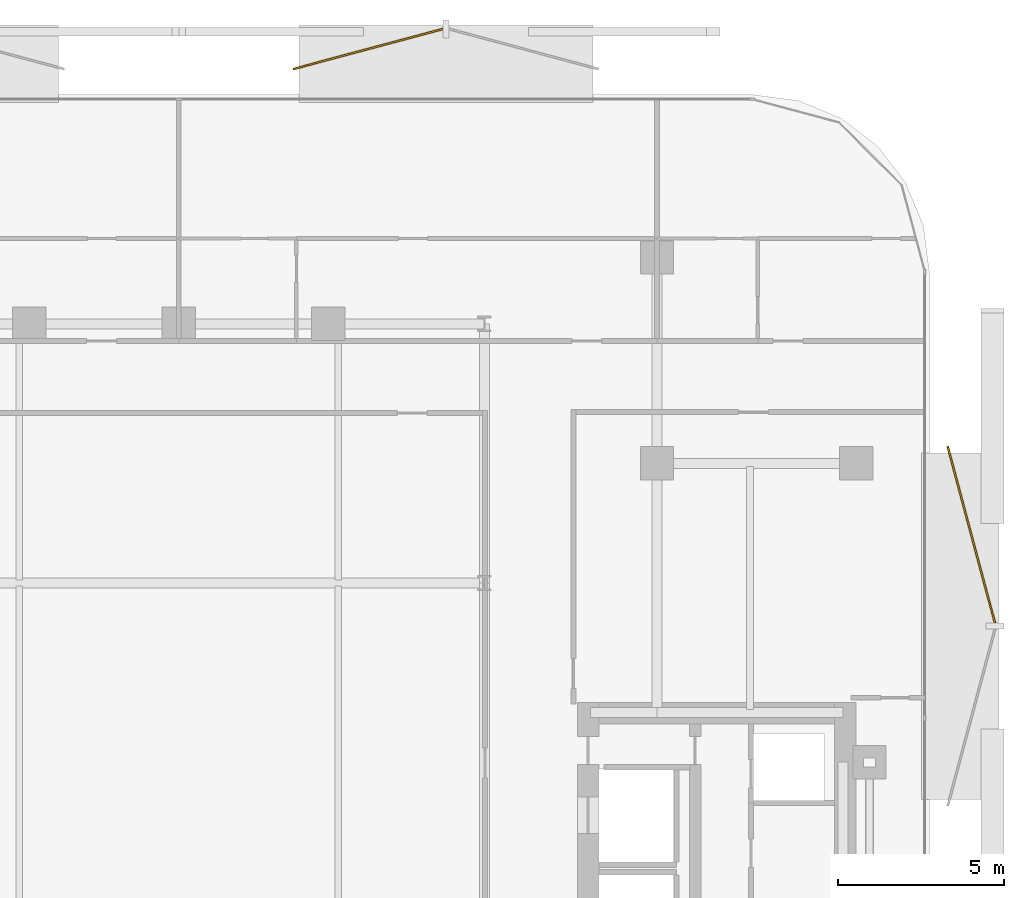
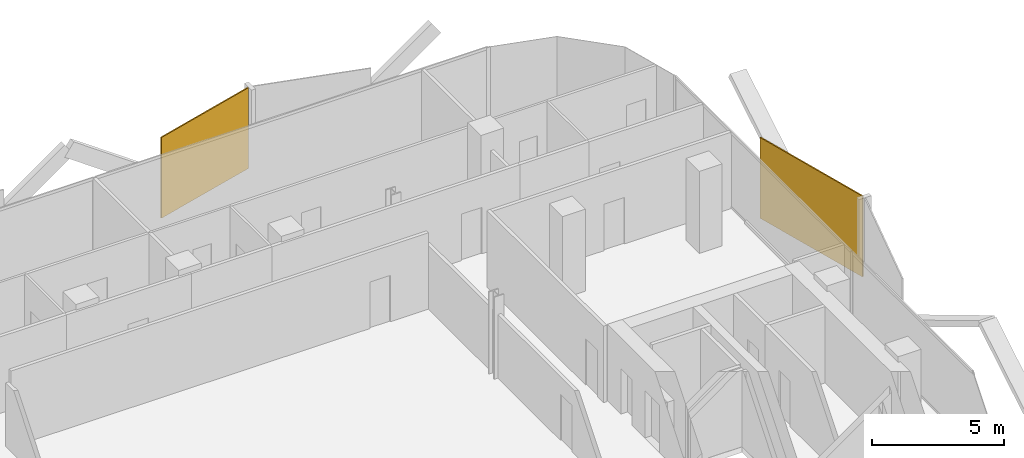
# One storey, part 17 of 17: 2 coverings.
"""IFC4 building model written with IfcOpenShell, lengths in metres."""

from ifc_helpers import new_model, si_unit, direction, frame, origin, origin_2d, place, context, subcontext, project, spatial, rectangle, extrude, material, layer, layer_set, type_object, element, save


model = new_model("IFC4")

# Units and contexts
model_context = context("Model", 3, precision=1e-05, world=origin(), true_north=direction((0.0, 1.0)))
body_context = subcontext(model_context, "Body", "Model", "MODEL_VIEW")
ifc_project = project(units=[si_unit("LENGTHUNIT", "METRE"), si_unit("AREAUNIT", "SQUARE_METRE"), si_unit("VOLUMEUNIT", "CUBIC_METRE"), si_unit("PLANEANGLEUNIT", "RADIAN"), si_unit("MASSUNIT", "GRAM", prefix="KILO")], contexts=[model_context])

# Site, building, storey
site_placement = place(None, origin())
site = spatial("IfcSite", under=ifc_project, at=site_placement, CompositionType="ELEMENT")
building_placement = place(site_placement, origin())
building = spatial("IfcBuilding", under=site, at=building_placement, Name="Khairoan Windgate Tower", CompositionType="ELEMENT")
storey_placement = place(building_placement, frame((0.0, 0.0, 203.0)))
storey = spatial("IfcBuildingStorey", under=building, at=storey_placement, Name="L47", CompositionType="ELEMENT", Elevation=203.0)

# Coverings
ifc_material = material(Name="Anodised Bronze Aluminium 6063-T6", Category="aluminium")
ifc_layer = layer(ifc_material, 0.054931640625, Name="Anodised Bronze Aluminium 6063-T6")
ifc_layer_set = layer_set([ifc_layer], Name="Anodised Bronze Aluminium 6063-T6")
covering_type = type_object("IfcCoveringType", Name="Perforated Bronze-Ceramic Folded Solar Screen Cladding BSC-1", PredefinedType="CLADDING", material=ifc_layer_set)
covering_1_placement = place(storey_placement, frame((5.701904296875, 26.876220703125, -0.10009765625), z_axis=(0.0, 0.0, 1.0), x_axis=(0.965925826289, 0.258819045103, 0.0)))
element("IfcCovering", 1, at=covering_1_placement, inside=storey, type_object=covering_type, Name="L47 Folded Bronze Solar Screen Facet 318L", PredefinedType="CLADDING", context=body_context, shape_type="SweptSolid", body=[
    extrude(rectangle(XDim=4.666015625, YDim=0.054931640625, at=origin_2d()), origin(), (0.0, 0.0, 1.0), 3.739990234375),
])
covering_2_placement = place(storey_placement, frame((23.8671875, 12.2451171875, -0.10009765625), z_axis=(0.0, 0.0, 1.0), x_axis=(0.258819045103, -0.965925826289, 0.0)))
element("IfcCovering", 2, at=covering_2_placement, inside=storey, type_object=covering_type, Name="L47 Folded Bronze Solar Screen Facet 319L", PredefinedType="CLADDING", context=body_context, shape_type="SweptSolid", body=[
    extrude(rectangle(XDim=5.507080078125, YDim=0.054931640625, at=origin_2d()), origin(), (0.0, 0.0, 1.0), 3.739990234375),
])

save(model, "model.ifc")
